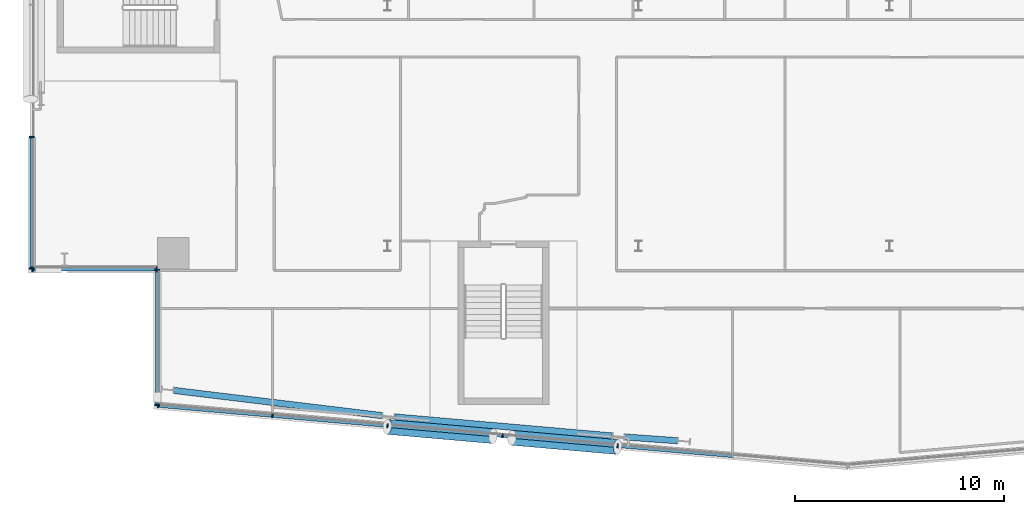
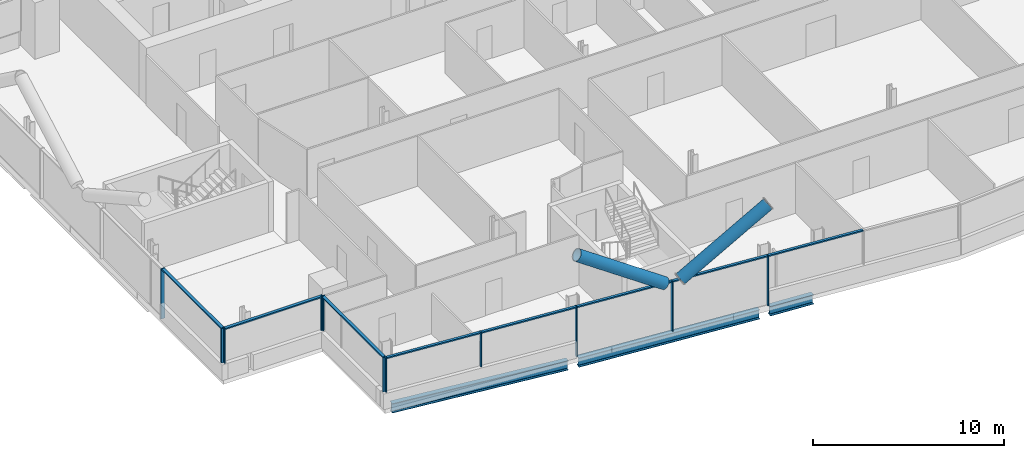
# One storey, part 6 of 27: 21 members, 3 beams, 4 elements without a shape of their own.
"""IFC4 building model written with IfcOpenShell, lengths in metres."""

from ifc_helpers import new_model, si_unit, direction, frame, origin, origin_2d, place, context, subcontext, project, spatial, rectangle, hollow_circle, i_section, extrude, material, material_profile, profile_set, type_object, element, aggregate, save


model = new_model("IFC4")

# Units and contexts
model_context = context("Model", 3, precision=1e-05, world=origin(), true_north=direction((0.0, 1.0)))
body_context = subcontext(model_context, "Body", "Model", "MODEL_VIEW")
ifc_project = project(units=[si_unit("LENGTHUNIT", "METRE"), si_unit("AREAUNIT", "SQUARE_METRE"), si_unit("VOLUMEUNIT", "CUBIC_METRE"), si_unit("PLANEANGLEUNIT", "RADIAN"), si_unit("MASSUNIT", "GRAM", prefix="KILO")], contexts=[model_context])

# Site, building, storey
site_placement = place(None, origin())
site = spatial("IfcSite", under=ifc_project, at=site_placement, CompositionType="ELEMENT")
building_placement = place(site_placement, origin())
building = spatial("IfcBuilding", under=site, at=building_placement, Name="Wharfspan Tower", CompositionType="ELEMENT")
storey_placement = place(building_placement, frame((0.0, 0.0, 195.100098)))
storey = spatial("IfcBuildingStorey", under=building, at=storey_placement, Name="L48", CompositionType="ELEMENT", Elevation=195.100098)

# Beams
ifc_material_1 = material(Name="Steel S355J2", Category="steel")
ifc_material_profile_1 = material_profile(ifc_material_1, i_section(OverallWidth=0.300049, OverallDepth=0.600098, WebThickness=0.015381, FlangeThickness=0.030029, FilletRadius=0.0271, at=origin_2d()))
ifc_profile_set_1 = profile_set([ifc_material_profile_1], Name="Steel S355J2")
beam_type = type_object("IfcBeamType", Name="Edge beam HEB 600", PredefinedType="SPANDREL", material=ifc_profile_set_1)
beam_1_placement = place(storey_placement, frame((13.794678, 4.600586, -0.700195), z_axis=(0.992758, -0.12013, 0.0), x_axis=(0.12013, 0.992758, 0.0)))
element("IfcBeam", 1, at=beam_1_placement, inside=storey, type_object=beam_type, Name="Edge beam S1 L48 PS1.1 to PS1.2", PredefinedType="SPANDREL", context=body_context, shape_type="SweptSolid", body=[
    extrude(i_section(OverallWidth=0.300049, OverallDepth=0.600098, WebThickness=0.015381, FlangeThickness=0.030029, FilletRadius=0.0271, at=origin_2d()), origin(), (0.0, 0.0, 1.0), 10.013184),
])
beam_2_placement = place(storey_placement, frame((24.343994, 3.334229, -0.700195), z_axis=(0.996196, -0.087146, 0.0), x_axis=(0.087146, 0.996196, 0.0)))
element("IfcBeam", 2, at=beam_2_placement, inside=storey, type_object=beam_type, Name="Edge beam S1 L48 PS1.2 to PS1.3", PredefinedType="SPANDREL", context=body_context, shape_type="SweptSolid", body=[
    extrude(i_section(OverallWidth=0.300049, OverallDepth=0.600098, WebThickness=0.015381, FlangeThickness=0.030029, FilletRadius=0.0271, at=origin_2d()), origin(), (0.0, 0.0, 1.0), 10.430176),
])
beam_3_placement = place(storey_placement, frame((35.344482, 2.376709, -0.700195), z_axis=(0.997423, -0.07175, 0.0), x_axis=(0.07175, 0.997423, 0.0)))
element("IfcBeam", 3, at=beam_3_placement, inside=storey, type_object=beam_type, Name="Edge beam S1 L48 PS1.3 to PS1.4", PredefinedType="SPANDREL", context=body_context, shape_type="SweptSolid", body=[
    extrude(i_section(OverallWidth=0.300049, OverallDepth=0.600098, WebThickness=0.015381, FlangeThickness=0.030029, FilletRadius=0.0271, at=origin_2d()), origin(), (0.0, 0.0, 1.0), 2.518066),
])

# Curtain wall, members
ifc_material_2 = material(Name="Aluminium 6063-T6", Category="aluminium")
curtain_wall_type_1 = type_object("IfcCurtainWallType", Name="CURTAIN WALL FACETED FRONT", PredefinedType="NOTDEFINED", material=ifc_material_2)
curtain_wall_1_placement = place(storey_placement, origin())
curtain_wall_1 = element("IfcCurtainWall", 4, at=curtain_wall_1_placement, inside=storey, type_object=curtain_wall_type_1, Name="Curtain wall S1", PredefinedType="NOTDEFINED")
ifc_material_profile_2 = material_profile(ifc_material_2, rectangle(XDim=0.199951, YDim=0.060059, at=origin_2d()))
ifc_profile_set_2 = profile_set([ifc_material_profile_2], Name="Aluminium 6063-T6")
member_type_1 = type_object("IfcMemberType", Name="MULLION FACETED FRONT 60x200", PredefinedType="MULLION", material=ifc_profile_set_2)
member_1_placement = place(storey_placement, frame((13.029785, 3.872559, 1.0), z_axis=(0.0, 0.0, 1.0), x_axis=(0.087156, 0.996198, 0.0)))
member_1 = element("IfcMember", 5, at=member_1_placement, type_object=member_type_1, Name="Curtain wall S1 mullion 1", PredefinedType="MULLION", context=body_context, shape_type="SweptSolid", body=[
    extrude(rectangle(XDim=0.199951, YDim=0.060059, at=origin_2d()), origin(), (0.0, 0.0, 1.0), 2.199951),
])
member_2_placement = place(storey_placement, frame((18.5, 3.393799, 1.0), z_axis=(0.0, 0.0, 1.0), x_axis=(0.087156, 0.996198, 0.0)))
member_2 = element("IfcMember", 6, at=member_2_placement, type_object=member_type_1, Name="Curtain wall S1 mullion 2", PredefinedType="MULLION", context=body_context, shape_type="SweptSolid", body=[
    extrude(rectangle(XDim=0.199951, YDim=0.060059, at=origin_2d()), origin(), (0.0, 0.0, 1.0), 2.199951),
])
member_3_placement = place(storey_placement, frame((24.0, 2.912598, 0.0), z_axis=(0.0, 0.0, 1.0), x_axis=(0.087156, 0.996198, 0.0)))
member_3 = element("IfcMember", 7, at=member_3_placement, type_object=member_type_1, Name="Curtain wall S1 mullion 3", PredefinedType="MULLION", context=body_context, shape_type="SweptSolid", body=[
    extrude(rectangle(XDim=0.199951, YDim=0.060059, at=origin_2d()), origin(), (0.0, 0.0, 1.0), 3.199951),
])
member_4_placement = place(storey_placement, frame((29.5, 2.431396, 0.0), z_axis=(0.0, 0.0, 1.0), x_axis=(0.087156, 0.996198, 0.0)))
member_4 = element("IfcMember", 8, at=member_4_placement, type_object=member_type_1, Name="Curtain wall S1 mullion 4", PredefinedType="MULLION", context=body_context, shape_type="SweptSolid", body=[
    extrude(rectangle(XDim=0.199951, YDim=0.060059, at=origin_2d()), origin(), (0.0, 0.0, 1.0), 3.199951),
])
member_5_placement = place(storey_placement, frame((35.0, 1.950195, 0.0), z_axis=(0.0, 0.0, 1.0), x_axis=(0.087156, 0.996198, 0.0)))
member_5 = element("IfcMember", 9, at=member_5_placement, type_object=member_type_1, Name="Curtain wall S1 mullion 5", PredefinedType="MULLION", context=body_context, shape_type="SweptSolid", body=[
    extrude(rectangle(XDim=0.199951, YDim=0.060059, at=origin_2d()), origin(), (0.0, 0.0, 1.0), 3.199951),
])

curtain_wall_type_2 = type_object("IfcCurtainWallType", Name="CURTAIN WALL PROW AND END", PredefinedType="NOTDEFINED", material=ifc_material_2)
curtain_wall_2_placement = place(storey_placement, origin())
curtain_wall_2 = element("IfcCurtainWall", 10, at=curtain_wall_2_placement, inside=storey, type_object=curtain_wall_type_2, Name="Curtain wall W", PredefinedType="NOTDEFINED")
ifc_material_profile_3 = material_profile(ifc_material_2, rectangle(XDim=0.23999, YDim=0.060059, at=origin_2d()))
ifc_profile_set_3 = profile_set([ifc_material_profile_3], Name="Aluminium 6063-T6")
member_type_2 = type_object("IfcMemberType", Name="MULLION PROW AND END 60x240", PredefinedType="MULLION", material=ifc_profile_set_3)
member_6_placement = place(storey_placement, frame((7.0, 16.719971, 0.0), z_axis=(0.0, 0.0, 1.0), x_axis=(1.0, 0.0, 0.0)))
member_6 = element("IfcMember", 11, at=member_6_placement, type_object=member_type_2, Name="Curtain wall W mullion 5", PredefinedType="MULLION", context=body_context, shape_type="SweptSolid", body=[
    extrude(rectangle(XDim=0.23999, YDim=0.060059, at=origin_2d()), origin(), (0.0, 0.0, 1.0), 3.199951),
])
member_7_placement = place(storey_placement, frame((7.0, 10.429932, 1.0), z_axis=(0.0, 0.0, 1.0), x_axis=(1.0, 0.0, 0.0)))
member_7 = element("IfcMember", 12, at=member_7_placement, type_object=member_type_2, Name="Curtain wall W mullion 6", PredefinedType="MULLION", context=body_context, shape_type="SweptSolid", body=[
    extrude(rectangle(XDim=0.23999, YDim=0.060059, at=origin_2d()), origin(), (0.0, 0.0, 1.0), 2.199951),
])

curtain_wall_3_placement = place(storey_placement, origin())
curtain_wall_3 = element("IfcCurtainWall", 13, at=curtain_wall_3_placement, inside=storey, type_object=curtain_wall_type_2, Name="Curtain wall NFW-H", PredefinedType="NOTDEFINED")
member_8_placement = place(storey_placement, frame((7.030029, 10.399902, 1.0), z_axis=(0.0, 0.0, 1.0), x_axis=(0.0, 1.0, 0.0)))
member_8 = element("IfcMember", 14, at=member_8_placement, type_object=member_type_2, Name="Curtain wall NFW-H mullion 1", PredefinedType="MULLION", context=body_context, shape_type="SweptSolid", body=[
    extrude(rectangle(XDim=0.23999, YDim=0.060059, at=origin_2d()), origin(), (0.0, 0.0, 1.0), 2.199951),
])
member_9_placement = place(storey_placement, frame((12.969971, 10.399902, 1.0), z_axis=(0.0, 0.0, 1.0), x_axis=(0.0, 1.0, 0.0)))
member_9 = element("IfcMember", 15, at=member_9_placement, type_object=member_type_2, Name="Curtain wall NFW-H mullion 2", PredefinedType="MULLION", context=body_context, shape_type="SweptSolid", body=[
    extrude(rectangle(XDim=0.23999, YDim=0.060059, at=origin_2d()), origin(), (0.0, 0.0, 1.0), 2.199951),
])

curtain_wall_4_placement = place(storey_placement, origin())
curtain_wall_4 = element("IfcCurtainWall", 16, at=curtain_wall_4_placement, inside=storey, type_object=curtain_wall_type_2, Name="Curtain wall NFW-V", PredefinedType="NOTDEFINED")
member_10_placement = place(storey_placement, frame((13.0, 10.370117, 1.0), z_axis=(0.0, 0.0, 1.0), x_axis=(1.0, 0.0, 0.0)))
member_10 = element("IfcMember", 17, at=member_10_placement, type_object=member_type_2, Name="Curtain wall NFW-V mullion 1", PredefinedType="MULLION", context=body_context, shape_type="SweptSolid", body=[
    extrude(rectangle(XDim=0.23999, YDim=0.060059, at=origin_2d()), origin(), (0.0, 0.0, 1.0), 2.199951),
])
member_11_placement = place(storey_placement, frame((13.0, 3.905029, 1.0), z_axis=(0.0, 0.0, 1.0), x_axis=(1.0, 0.0, 0.0)))
member_11 = element("IfcMember", 18, at=member_11_placement, type_object=member_type_2, Name="Curtain wall NFW-V mullion 2", PredefinedType="MULLION", context=body_context, shape_type="SweptSolid", body=[
    extrude(rectangle(XDim=0.23999, YDim=0.060059, at=origin_2d()), origin(), (0.0, 0.0, 1.0), 2.199951),
])

# Members
ifc_material_3 = material(Name="Steel S460NH", Category="steel")
ifc_material_profile_4 = material_profile(ifc_material_3, hollow_circle(Radius=0.355469, WallThickness=0.035889, at=origin_2d()))
ifc_profile_set_4 = profile_set([ifc_material_profile_4], Name="Steel S460NH")
member_type_3 = type_object("IfcMemberType", Name="Mega brace CHS 711x36", PredefinedType="BRACE", material=ifc_profile_set_4)
for number, where, z_axis, x_axis, name in (
    (19, (29.947021, 2.337158, 3.195801), (0.834469, -0.073006, 0.546197), (0.087156, 0.996198, -1e-06), "Mega brace S1 L48 part 2"),
    (20, (29.043213, 2.41626, 3.195801), (-0.834469, 0.073006, 0.546197), (-0.087156, -0.996198, -1e-06), "Mega brace S1 L48 part 4"),
):
    element("IfcMember", number, at=place(storey_placement, frame(where, z_axis=z_axis, x_axis=x_axis)), inside=storey, type_object=member_type_3, Name=name, PredefinedType="BRACE", context=body_context, shape_type="SweptSolid", body=[
        extrude(hollow_circle(Radius=0.355469, WallThickness=0.035889, at=origin_2d()), origin(), (0.0, 0.0, 1.0), 6.049561),
    ])

# Member
ifc_material_profile_5 = material_profile(ifc_material_2, rectangle(XDim=0.159912, YDim=0.080078, at=origin_2d()))
ifc_profile_set_5 = profile_set([ifc_material_profile_5], Name="Aluminium 6063-T6")
member_type_4 = type_object("IfcMemberType", Name="TRANSOM FACETED FRONT 80x160", PredefinedType="USERDEFINED", material=ifc_profile_set_5)
member_12_placement = place(storey_placement, frame((13.059814, 3.869873, 3.159912), z_axis=(0.996194, -0.087163, 0.0), x_axis=(0.087163, 0.996194, 0.0)))
member_12 = element("IfcMember", 21, at=member_12_placement, type_object=member_type_4, Name="Curtain wall S1 transom 1", ObjectType="TRANSOM", PredefinedType="USERDEFINED", context=body_context, shape_type="SweptSolid", body=[
    extrude(rectangle(XDim=0.159912, YDim=0.080078, at=origin_2d()), origin(), (0.0, 0.0, 1.0), 5.431152),
])

member_13_placement = place(storey_placement, frame((18.529785, 3.391357, 3.159912), z_axis=(0.996193, -0.087174, 0.0), x_axis=(0.087174, 0.996193, 0.0)))
member_13 = element("IfcMember", 22, at=member_13_placement, type_object=member_type_4, Name="Curtain wall S1 transom 2", ObjectType="TRANSOM", PredefinedType="USERDEFINED", context=body_context, shape_type="SweptSolid", body=[
    extrude(rectangle(XDim=0.159912, YDim=0.080078, at=origin_2d()), origin(), (0.0, 0.0, 1.0), 5.461182),
])

member_14_placement = place(storey_placement, frame((24.029785, 2.910156, 3.159912), z_axis=(0.996193, -0.087174, 0.0), x_axis=(0.087174, 0.996193, 0.0)))
member_14 = element("IfcMember", 23, at=member_14_placement, type_object=member_type_4, Name="Curtain wall S1 transom 3", ObjectType="TRANSOM", PredefinedType="USERDEFINED", context=body_context, shape_type="SweptSolid", body=[
    extrude(rectangle(XDim=0.159912, YDim=0.080078, at=origin_2d()), origin(), (0.0, 0.0, 1.0), 5.461182),
])

member_15_placement = place(storey_placement, frame((29.529785, 2.428955, 3.159912), z_axis=(0.996193, -0.087174, 0.0), x_axis=(0.087174, 0.996193, 0.0)))
member_15 = element("IfcMember", 24, at=member_15_placement, type_object=member_type_4, Name="Curtain wall S1 transom 4", ObjectType="TRANSOM", PredefinedType="USERDEFINED", context=body_context, shape_type="SweptSolid", body=[
    extrude(rectangle(XDim=0.159912, YDim=0.080078, at=origin_2d()), origin(), (0.0, 0.0, 1.0), 5.461182),
])

member_16_placement = place(storey_placement, frame((35.029785, 1.947754, 3.159912), z_axis=(0.996193, -0.087174, 0.0), x_axis=(0.087174, 0.996193, 0.0)))
member_16 = element("IfcMember", 25, at=member_16_placement, type_object=member_type_4, Name="Curtain wall S1 transom 5", ObjectType="TRANSOM", PredefinedType="USERDEFINED", context=body_context, shape_type="SweptSolid", body=[
    extrude(rectangle(XDim=0.159912, YDim=0.080078, at=origin_2d()), origin(), (0.0, 0.0, 1.0), 5.461182),
])

aggregate(curtain_wall_1, [member_1, member_2, member_3, member_4, member_5, member_12, member_13, member_14, member_15, member_16])

ifc_material_profile_6 = material_profile(ifc_material_2, rectangle(XDim=0.179932, YDim=0.080078, at=origin_2d()))
ifc_profile_set_6 = profile_set([ifc_material_profile_6], Name="Aluminium 6063-T6")
member_type_5 = type_object("IfcMemberType", Name="TRANSOM PROW AND END 80x180", PredefinedType="USERDEFINED", material=ifc_profile_set_6)
member_17_placement = place(storey_placement, frame((7.0, 16.689941, 3.159912), z_axis=(0.0, -1.0, 0.0), x_axis=(1.0, 0.0, 0.0)))
member_17 = element("IfcMember", 26, at=member_17_placement, type_object=member_type_5, Name="Curtain wall W transom 5", ObjectType="TRANSOM", PredefinedType="USERDEFINED", context=body_context, shape_type="SweptSolid", body=[
    extrude(rectangle(XDim=0.179932, YDim=0.080078, at=origin_2d()), origin(), (0.0, 0.0, 1.0), 6.22998),
])

aggregate(curtain_wall_2, [member_6, member_7, member_17])

member_18_placement = place(storey_placement, frame((7.060059, 10.399902, 3.159912), z_axis=(1.0, 0.0, 0.0), x_axis=(0.0, 1.0, 0.0)))
member_18 = element("IfcMember", 27, at=member_18_placement, type_object=member_type_5, Name="Curtain wall NFW-H transom 1", ObjectType="TRANSOM", PredefinedType="USERDEFINED", context=body_context, shape_type="SweptSolid", body=[
    extrude(rectangle(XDim=0.179932, YDim=0.080078, at=origin_2d()), origin(), (0.0, 0.0, 1.0), 5.879883),
])

aggregate(curtain_wall_3, [member_8, member_9, member_18])

member_19_placement = place(storey_placement, frame((13.0, 10.340088, 3.159912), z_axis=(0.0, -1.0, 0.0), x_axis=(1.0, 0.0, 0.0)))
member_19 = element("IfcMember", 28, at=member_19_placement, type_object=member_type_5, Name="Curtain wall NFW-V transom 1", ObjectType="TRANSOM", PredefinedType="USERDEFINED", context=body_context, shape_type="SweptSolid", body=[
    extrude(rectangle(XDim=0.179932, YDim=0.080078, at=origin_2d()), origin(), (0.0, 0.0, 1.0), 6.405029),
])

aggregate(curtain_wall_4, [member_10, member_11, member_19])

save(model, "model.ifc")
